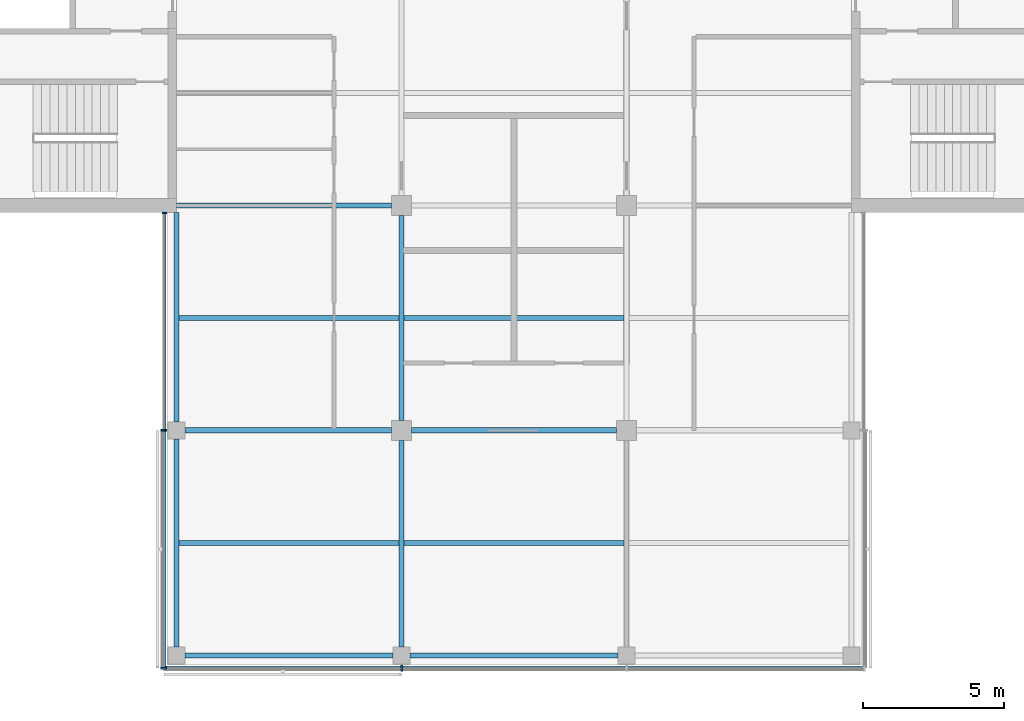
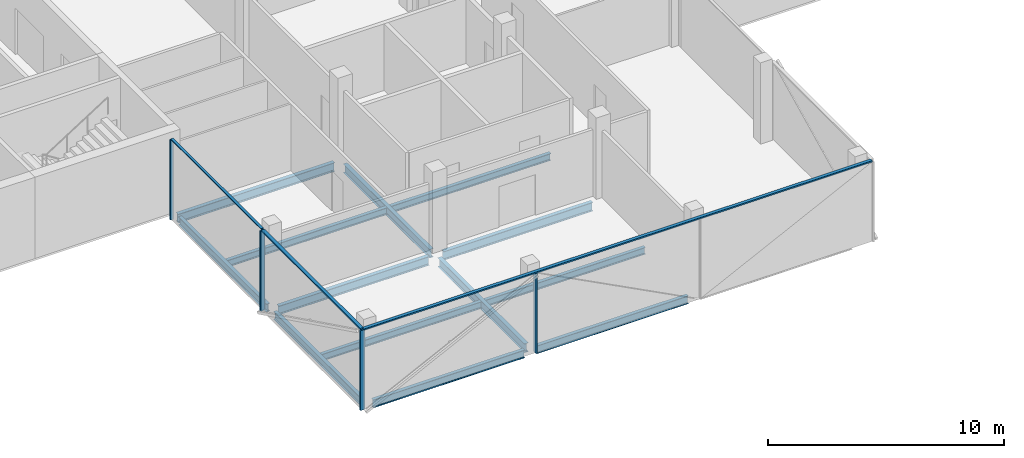
# One storey, part 2 of 16: 13 beams, 8 members, 3 elements without a shape of their own.
"""IFC4 building model written with IfcOpenShell, lengths in metres."""

from ifc_helpers import new_model, si_unit, direction, frame, origin, origin_2d, place, context, subcontext, project, spatial, rectangle, i_section, extrude, material, material_profile, profile_set, type_object, element, aggregate, save


model = new_model("IFC4")

# Units and contexts
model_context = context("Model", 3, precision=1e-05, world=origin(), true_north=direction((0.0, 1.0)))
body_context = subcontext(model_context, "Body", "Model", "MODEL_VIEW")
ifc_project = project(units=[si_unit("LENGTHUNIT", "METRE"), si_unit("AREAUNIT", "SQUARE_METRE"), si_unit("VOLUMEUNIT", "CUBIC_METRE"), si_unit("PLANEANGLEUNIT", "RADIAN"), si_unit("MASSUNIT", "GRAM", prefix="KILO")], contexts=[model_context])

# Site, building, storey
site_placement = place(None, origin())
site = spatial("IfcSite", under=ifc_project, at=site_placement, CompositionType="ELEMENT")
building_placement = place(site_placement, origin())
building = spatial("IfcBuilding", under=site, at=building_placement, Name="Crosswind Convention Tower", CompositionType="ELEMENT")
storey_placement = place(building_placement, frame((0.0, 0.0, 270.300048828125)))
storey = spatial("IfcBuildingStorey", under=building, at=storey_placement, Name="L58", CompositionType="ELEMENT", Elevation=270.300048828125)

# Beams
ifc_material_1 = material(Name="Steel S355", Category="steel")
ifc_material_profile_1 = material_profile(ifc_material_1, i_section(OverallWidth=0.177734375, OverallDepth=0.406494140625, WebThickness=0.0078125, FlangeThickness=0.0126953125, FilletRadius=0.01025390625, at=origin_2d()), Name="UB 406x178x60")
ifc_profile_set_1 = profile_set([ifc_material_profile_1], Name="Steel S355")
beam_type_1 = type_object("IfcBeamType", Name="Edge beam UB 406x178x60", PredefinedType="SPANDREL", material=ifc_profile_set_1)
beam_1_placement = place(storey_placement, frame((113.0, 72.300048828125, -0.503173828125), z_axis=(0.0, 1.0, 0.0), x_axis=(-1.0, 0.0, 0.0)))
element("IfcBeam", 1, at=beam_1_placement, inside=storey, type_object=beam_type_1, Name="B15 L58 edge beam 1", PredefinedType="SPANDREL", context=body_context, shape_type="SweptSolid", body=[
    extrude(i_section(OverallWidth=0.177734375, OverallDepth=0.406494140625, WebThickness=0.0078125, FlangeThickness=0.0126953125, FilletRadius=0.01025390625, at=origin_2d()), origin(), (0.0, 0.0, 1.0), 7.39990234375),
])
beam_2_placement = place(storey_placement, frame((113.0, 80.300048828125, -0.503173828125), z_axis=(0.0, 1.0, 0.0), x_axis=(-1.0, 0.0, 0.0)))
element("IfcBeam", 2, at=beam_2_placement, inside=storey, type_object=beam_type_1, Name="B15 L58 edge beam 2", PredefinedType="SPANDREL", context=body_context, shape_type="SweptSolid", body=[
    extrude(i_section(OverallWidth=0.177734375, OverallDepth=0.406494140625, WebThickness=0.0078125, FlangeThickness=0.0126953125, FilletRadius=0.01025390625, at=origin_2d()), origin(), (0.0, 0.0, 1.0), 7.449951171875),
])
for number, where, z_axis, x_axis, name in (
    (3, (113.300048828125, 72.0, -0.503173828125), (1.0, 0.0, 0.0), (0.0, 1.0, 0.0), "B15 L58 edge beam 5"),
    (4, (121.300048828125, 72.0, -0.503173828125), (1.0, 0.0, 0.0), (0.0, 1.0, 0.0), "B15 L58 edge beam 7"),
):
    element("IfcBeam", number, at=place(storey_placement, frame(where, z_axis=z_axis, x_axis=x_axis)), inside=storey, type_object=beam_type_1, Name=name, PredefinedType="SPANDREL", context=body_context, shape_type="SweptSolid", body=[
        extrude(i_section(OverallWidth=0.177734375, OverallDepth=0.406494140625, WebThickness=0.0078125, FlangeThickness=0.0126953125, FilletRadius=0.01025390625, at=origin_2d()), origin(), (0.0, 0.0, 1.0), 7.39990234375),
    ])
ifc_material_profile_2 = material_profile(ifc_material_1, i_section(OverallWidth=0.18994140625, OverallDepth=0.45361328125, WebThickness=0.008544921875, FlangeThickness=0.0126953125, FilletRadius=0.01025390625, at=origin_2d()), Name="UB 457x191x67")
ifc_profile_set_2 = profile_set([ifc_material_profile_2], Name="Steel S355")
beam_type_2 = type_object("IfcBeamType", Name="Girder UB 457x191x67", PredefinedType="BEAM", material=ifc_profile_set_2)
for number, where, z_axis, x_axis, name in (
    (5, (113.300048828125, 80.0, -0.52685546875), (1.0, 0.0, 0.0), (0.0, 1.0, 0.0), "B1 L58 girder 1"),
    (6, (121.0, 72.300048828125, -0.52685546875), (0.0, 1.0, 0.0), (-1.0, 0.0, 0.0), "B1 L58 girder 3"),
):
    element("IfcBeam", number, at=place(storey_placement, frame(where, z_axis=z_axis, x_axis=x_axis)), inside=storey, type_object=beam_type_2, Name=name, PredefinedType="BEAM", context=body_context, shape_type="SweptSolid", body=[
        extrude(i_section(OverallWidth=0.18994140625, OverallDepth=0.45361328125, WebThickness=0.008544921875, FlangeThickness=0.0126953125, FilletRadius=0.01025390625, at=origin_2d()), origin(), (0.0, 0.0, 1.0), 7.349853515625),
    ])
for number, where, z_axis, x_axis, name in (
    (7, (121.0, 80.35009765625, -0.52685546875), (0.0, 1.0, 0.0), (-1.0, 0.0, 0.0), "B1 L58 girder 4"),
    (8, (121.35009765625, 80.0, -0.52685546875), (1.0, 0.0, 0.0), (0.0, 1.0, 0.0), "B1 L58 girder 10"),
):
    element("IfcBeam", number, at=place(storey_placement, frame(where, z_axis=z_axis, x_axis=x_axis)), inside=storey, type_object=beam_type_2, Name=name, PredefinedType="BEAM", context=body_context, shape_type="SweptSolid", body=[
        extrude(i_section(OverallWidth=0.18994140625, OverallDepth=0.45361328125, WebThickness=0.008544921875, FlangeThickness=0.0126953125, FilletRadius=0.01025390625, at=origin_2d()), origin(), (0.0, 0.0, 1.0), 7.2998046875),
    ])
ifc_material_profile_3 = material_profile(ifc_material_1, i_section(OverallWidth=0.1904296875, OverallDepth=0.457275390625, WebThickness=0.009033203125, FlangeThickness=0.014404296875, FilletRadius=0.01025390625, at=origin_2d()), Name="UB 457x191x75")
ifc_profile_set_3 = profile_set([ifc_material_profile_3], Name="Steel S355")
beam_type_3 = type_object("IfcBeamType", Name="Girder at core wall UB 457x191x75", PredefinedType="BEAM", material=ifc_profile_set_3)
beam_3_placement = place(storey_placement, frame((113.0, 88.0, -0.528564453125), z_axis=(1.0, 0.0, 0.0), x_axis=(0.0, 1.0, 0.0)))
element("IfcBeam", 9, at=beam_3_placement, inside=storey, type_object=beam_type_3, Name="B22 L58 girder at core wall 1", PredefinedType="BEAM", context=body_context, shape_type="SweptSolid", body=[
    extrude(i_section(OverallWidth=0.1904296875, OverallDepth=0.457275390625, WebThickness=0.009033203125, FlangeThickness=0.014404296875, FilletRadius=0.01025390625, at=origin_2d()), origin(), (0.0, 0.0, 1.0), 7.64990234375),
])

# Curtain wall, members
ifc_material_2 = material(Name="Aluminium unitised curtain wall", Category="aluminium")
curtain_wall_type_1 = type_object("IfcCurtainWallType", Name="CORE END SLOT WALL 160", PredefinedType="USERDEFINED", material=ifc_material_2)
curtain_wall_1_placement = place(storey_placement, origin())
curtain_wall_1 = element("IfcCurtainWall", 10, at=curtain_wall_1_placement, inside=storey, type_object=curtain_wall_type_1, Name="CW6 L58 S-W.1-1 slot", ObjectType="UNITISED", PredefinedType="USERDEFINED")
ifc_material_3 = material(Name="Aluminium mullion", Category="aluminium")
ifc_material_profile_4 = material_profile(ifc_material_3, rectangle(XDim=0.159912109375, YDim=0.050048828125, at=origin_2d()), Name="AL 160X50")
ifc_profile_set_4 = profile_set([ifc_material_profile_4], Name="Aluminium mullion")
member_type_1 = type_object("IfcMemberType", Name="MULLION 50X160", PredefinedType="MULLION", material=ifc_profile_set_4)
member_1_placement = place(storey_placement, frame((112.570068359375, 87.72509765625, -0.300048828125), z_axis=(0.0, 0.0, 1.0), x_axis=(-1.0, 0.0, 0.0)))
member_1 = element("IfcMember", 11, at=member_1_placement, type_object=member_type_1, Name="CW6 mullion 1", PredefinedType="MULLION", context=body_context, shape_type="SweptSolid", body=[
    extrude(rectangle(XDim=0.159912109375, YDim=0.050048828125, at=origin_2d()), origin(), (0.0, 0.0, 1.0), 4.14990234375),
])
member_2_placement = place(storey_placement, frame((112.570068359375, 80.02490234375, -0.300048828125), z_axis=(0.0, 0.0, 1.0), x_axis=(-1.0, 0.0, 0.0)))
member_2 = element("IfcMember", 12, at=member_2_placement, type_object=member_type_1, Name="CW6 mullion 2", PredefinedType="MULLION", context=body_context, shape_type="SweptSolid", body=[
    extrude(rectangle(XDim=0.159912109375, YDim=0.050048828125, at=origin_2d()), origin(), (0.0, 0.0, 1.0), 4.14990234375),
])

curtain_wall_type_2 = type_object("IfcCurtainWallType", Name="OFFICE UNITISED WALL 220", PredefinedType="USERDEFINED", material=ifc_material_2)
curtain_wall_2_placement = place(storey_placement, origin())
curtain_wall_2 = element("IfcCurtainWall", 13, at=curtain_wall_2_placement, inside=storey, type_object=curtain_wall_type_2, Name="CW3 L58 S-W 1", ObjectType="UNITISED", PredefinedType="USERDEFINED")
ifc_material_profile_5 = material_profile(ifc_material_3, rectangle(XDim=0.219970703125, YDim=0.070068359375, at=origin_2d()), Name="AL 220X70")
ifc_profile_set_5 = profile_set([ifc_material_profile_5], Name="Aluminium mullion")
member_type_2 = type_object("IfcMemberType", Name="MULLION 70X220", PredefinedType="MULLION", material=ifc_profile_set_5)
member_3_placement = place(storey_placement, frame((112.5400390625, 80.0, -0.300048828125), z_axis=(0.0, 0.0, 1.0), x_axis=(-1.0, 0.0, 0.0)))
member_3 = element("IfcMember", 14, at=member_3_placement, type_object=member_type_2, Name="CW3 mullion 1", PredefinedType="MULLION", context=body_context, shape_type="SweptSolid", body=[
    extrude(rectangle(XDim=0.219970703125, YDim=0.070068359375, at=origin_2d()), origin(), (0.0, 0.0, 1.0), 4.1298828125),
])
member_4_placement = place(storey_placement, frame((112.5400390625, 71.5400390625, -0.300048828125), z_axis=(0.0, 0.0, 1.0), x_axis=(-1.0, 0.0, 0.0)))
member_4 = element("IfcMember", 15, at=member_4_placement, type_object=member_type_2, Name="CW3 mullion 2", PredefinedType="MULLION", context=body_context, shape_type="SweptSolid", body=[
    extrude(rectangle(XDim=0.219970703125, YDim=0.070068359375, at=origin_2d()), origin(), (0.0, 0.0, 1.0), 4.1298828125),
])

# Curtain wall, member
curtain_wall_3_placement = place(storey_placement, origin())
curtain_wall_3 = element("IfcCurtainWall", 16, at=curtain_wall_3_placement, inside=storey, type_object=curtain_wall_type_2, Name="CW3 L58 S-TIP 1", ObjectType="UNITISED", PredefinedType="USERDEFINED")
member_5_placement = place(storey_placement, frame((121.0, 71.5400390625, -0.300048828125), z_axis=(0.0, 0.0, 1.0), x_axis=(0.0, -1.0, 0.0)))
member_5 = element("IfcMember", 17, at=member_5_placement, type_object=member_type_2, Name="CW3 mullion 2", PredefinedType="MULLION", context=body_context, shape_type="SweptSolid", body=[
    extrude(rectangle(XDim=0.219970703125, YDim=0.070068359375, at=origin_2d()), origin(), (0.0, 0.0, 1.0), 4.1298828125),
])

# Beams
ifc_material_profile_6 = material_profile(ifc_material_1, i_section(OverallWidth=0.17138671875, OverallDepth=0.355712890625, WebThickness=0.00732421875, FlangeThickness=0.011474609375, FilletRadius=0.01025390625, at=origin_2d()), Name="UB 356x171x51")
ifc_profile_set_6 = profile_set([ifc_material_profile_6], Name="Steel S355")
beam_type_4 = type_object("IfcBeamType", Name="Secondary beam UB 356x171x51", PredefinedType="JOIST", material=ifc_profile_set_6)
for number, where, z_axis, x_axis, name in (
    (18, (113.0888671875, 76.0, -0.477783203125), (1.0, 0.0, 0.0), (0.0, 1.0, 0.0), "B8 L58 secondary beam 4"),
    (19, (113.0888671875, 84.0, -0.477783203125), (1.0, 0.0, 0.0), (0.0, 1.0, 0.0), "B8 L58 secondary beam 5"),
):
    element("IfcBeam", number, at=place(storey_placement, frame(where, z_axis=z_axis, x_axis=x_axis)), inside=storey, type_object=beam_type_4, Name=name, PredefinedType="JOIST", context=body_context, shape_type="SweptSolid", body=[
        extrude(i_section(OverallWidth=0.17138671875, OverallDepth=0.355712890625, WebThickness=0.00732421875, FlangeThickness=0.011474609375, FilletRadius=0.01025390625, at=origin_2d()), origin(), (0.0, 0.0, 1.0), 7.816162109375),
    ])
for number, where, z_axis, x_axis, name in (
    (20, (121.094970703125, 76.0, -0.477783203125), (1.0, 0.0, 0.0), (0.0, 1.0, 0.0), "B8 L58 secondary beam 8"),
    (21, (121.094970703125, 84.0, -0.477783203125), (1.0, 0.0, 0.0), (0.0, 1.0, 0.0), "B8 L58 secondary beam 9"),
):
    element("IfcBeam", number, at=place(storey_placement, frame(where, z_axis=z_axis, x_axis=x_axis)), inside=storey, type_object=beam_type_4, Name=name, PredefinedType="JOIST", context=body_context, shape_type="SweptSolid", body=[
        extrude(i_section(OverallWidth=0.17138671875, OverallDepth=0.355712890625, WebThickness=0.00732421875, FlangeThickness=0.011474609375, FilletRadius=0.01025390625, at=origin_2d()), origin(), (0.0, 0.0, 1.0), 7.81005859375),
    ])

# Member
ifc_material_4 = material(Name="Aluminium transom", Category="aluminium")
ifc_material_profile_7 = material_profile(ifc_material_4, rectangle(XDim=0.1201171875, YDim=0.050048828125, at=origin_2d()), Name="AL 120X50")
ifc_profile_set_7 = profile_set([ifc_material_profile_7], Name="Aluminium transom")
member_type_3 = type_object("IfcMemberType", Name="TRANSOM 50X120", PredefinedType="USERDEFINED", material=ifc_profile_set_7)
member_6_placement = place(storey_placement, frame((112.570068359375, 87.699951171875, 3.875), z_axis=(0.0, -1.0, 0.0), x_axis=(1.0, 0.0, 0.0)))
member_6 = element("IfcMember", 22, at=member_6_placement, type_object=member_type_3, Name="CW6 transom", ObjectType="TRANSOM", PredefinedType="USERDEFINED", context=body_context, shape_type="SweptSolid", body=[
    extrude(rectangle(XDim=0.1201171875, YDim=0.050048828125, at=origin_2d()), origin(), (0.0, 0.0, 1.0), 7.64990234375),
])

aggregate(curtain_wall_1, [member_1, member_2, member_6])

ifc_material_profile_8 = material_profile(ifc_material_4, rectangle(XDim=0.159912109375, YDim=0.070068359375, at=origin_2d()), Name="AL 160X70")
ifc_profile_set_8 = profile_set([ifc_material_profile_8], Name="Aluminium transom")
member_type_4 = type_object("IfcMemberType", Name="TRANSOM 70X160", PredefinedType="USERDEFINED", material=ifc_profile_set_8)
member_7_placement = place(storey_placement, frame((112.5400390625, 79.965087890625, 3.864990234375), z_axis=(0.0, -1.0, 0.0), x_axis=(1.0, 0.0, 0.0)))
member_7 = element("IfcMember", 23, at=member_7_placement, type_object=member_type_4, Name="CW3 transom", ObjectType="TRANSOM", PredefinedType="USERDEFINED", context=body_context, shape_type="SweptSolid", body=[
    extrude(rectangle(XDim=0.159912109375, YDim=0.070068359375, at=origin_2d()), origin(), (0.0, 0.0, 1.0), 8.39013671875),
])

aggregate(curtain_wall_2, [member_3, member_4, member_7])

member_8_placement = place(storey_placement, frame((112.574951171875, 71.5400390625, 3.864990234375), z_axis=(1.0, 0.0, 0.0), x_axis=(0.0, 1.0, 0.0)))
member_8 = element("IfcMember", 24, at=member_8_placement, type_object=member_type_4, Name="CW3 transom", ObjectType="TRANSOM", PredefinedType="USERDEFINED", context=body_context, shape_type="SweptSolid", body=[
    extrude(rectangle(XDim=0.159912109375, YDim=0.070068359375, at=origin_2d()), origin(), (0.0, 0.0, 1.0), 24.85009765625),
])

aggregate(curtain_wall_3, [member_5, member_8])

save(model, "model.ifc")
